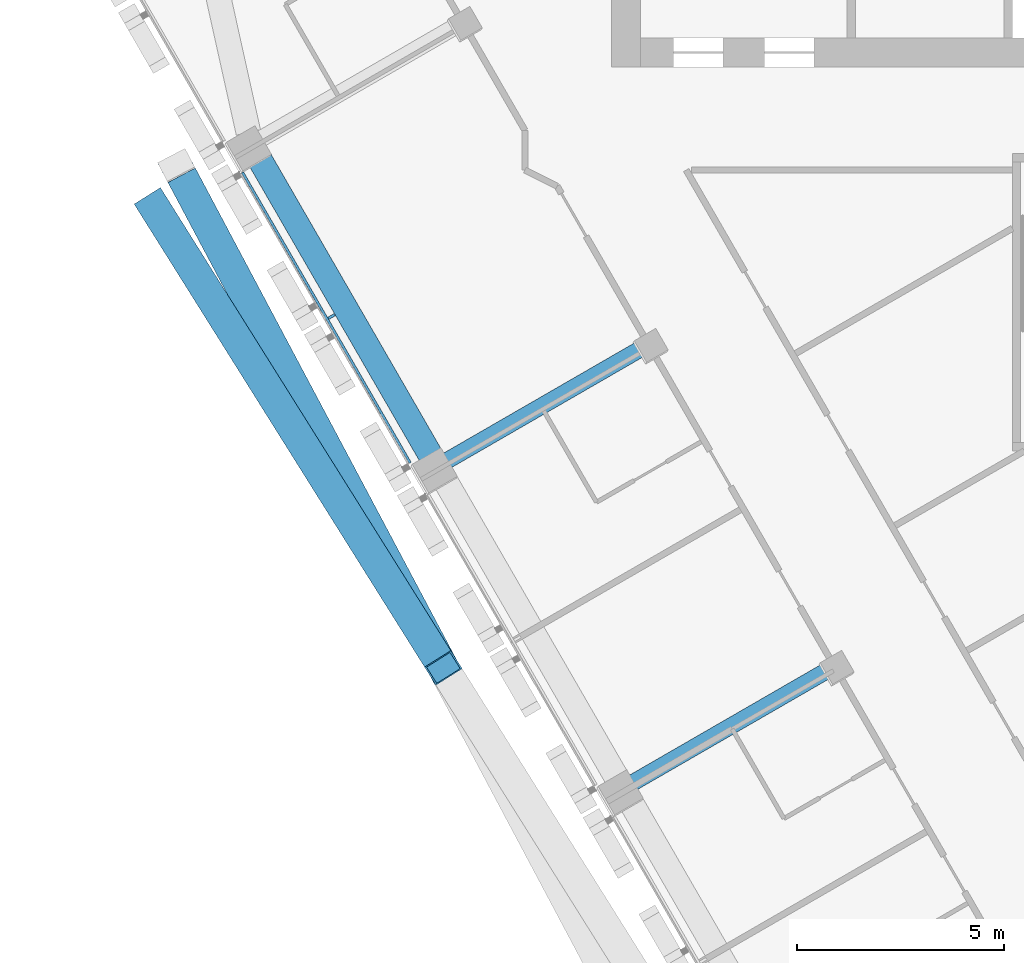
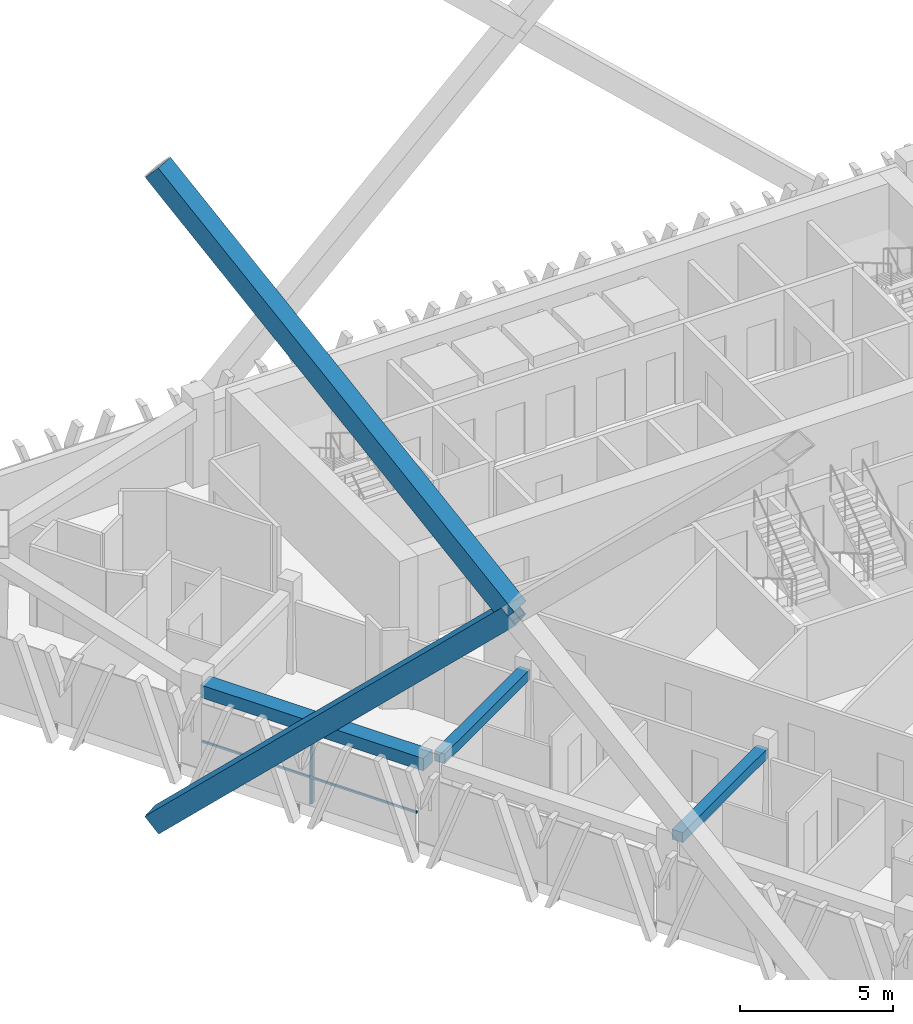
# One storey, part 4 of 18: 4 members, 3 beams, 1 element without a shape of its own.
"""IFC4 building model written with IfcOpenShell, lengths in metres."""

import ifcopenshell
import ifcopenshell.guid

model = None  # the IFC model being written
_history = None  # IfcOwnerHistory: only IFC2X3 demands one
_inside = {}  # id of a spatial element -> (the spatial element, [elements in it])
_under = {}  # id of a project, library or spatial element -> (it, [spatial elements below it])
_declared = {}  # id of a project -> (the project, [libraries it declares])
_typed = {}  # id of a type object -> (the type object, [elements of that type])
_made_of = {}  # id of a material, layer set ... -> (it, [elements and type objects made of it])


def new_model(schema):
    """Start an empty IFC model of exactly this schema.

    Asked for "IFC4X3", IfcOpenShell would pick the latest addendum, in which some entities
    have other attributes; the version numbers below select the first issue.
    IFC2X3 requires an IfcOwnerHistory on every rooted entity: one is made here for all.
    """
    global model, _history
    if schema == "IFC4X3":
        model = ifcopenshell.file(schema_version=(4, 3, 0, 0))
    else:
        model = ifcopenshell.file(schema=schema)
    _inside.clear()
    _under.clear()
    _declared.clear()
    _typed.clear()
    _made_of.clear()
    _history = None
    if model.schema == "IFC2X3":
        org = make("IfcOrganization", Name="unknown")
        user = make(
            "IfcPersonAndOrganization",
            ThePerson=make("IfcPerson", FamilyName="unknown"),
            TheOrganization=org,
        )
        app = make(
            "IfcApplication",
            ApplicationDeveloper=org,
            Version="unknown",
            ApplicationFullName="unknown",
            ApplicationIdentifier="unknown",
        )
        _history = make(
            "IfcOwnerHistory",
            OwningUser=user,
            OwningApplication=app,
            ChangeAction="ADDED",
            CreationDate=0,
        )
    return model


def make(cls, **values):
    """One entity of the class cls with the attributes given. An attribute that is None is left unset."""
    return model.create_entity(
        cls, **{name: value for name, value in values.items() if value is not None}
    )


def rooted(cls, **values):
    """An entity with a GlobalId (a new one), such as an element, a storey or a relation."""
    return make(cls, GlobalId=ifcopenshell.guid.new(), OwnerHistory=_history, **values)


def si_unit(unit_type, name, prefix=None):
    """IfcSIUnit, for example si_unit("LENGTHUNIT", "METRE", prefix="MILLI")."""
    return make("IfcSIUnit", UnitType=unit_type, Prefix=prefix, Name=name)


def assignment(units):
    """IfcUnitAssignment: the units of a project."""
    return None if units is None else make("IfcUnitAssignment", Units=units)


def point(xyz):
    """IfcCartesianPoint."""
    return None if xyz is None else make("IfcCartesianPoint", Coordinates=xyz)


def direction(xyz):
    """IfcDirection."""
    return None if xyz is None else make("IfcDirection", DirectionRatios=xyz)


def frame(location, z_axis=None, x_axis=None):
    """IfcAxis2Placement3D, a coordinate frame: its origin and axes. An axis left out is left unset."""
    return make(
        "IfcAxis2Placement3D",
        Location=point(location),
        Axis=direction(z_axis),
        RefDirection=direction(x_axis),
    )


def frame_2d(location, x_axis=None):
    """IfcAxis2Placement2D, a coordinate frame in the plane: its origin and x axis."""
    return make(
        "IfcAxis2Placement2D", Location=point(location), RefDirection=direction(x_axis)
    )


def origin():
    """The frame at (0, 0, 0) with its axes left unset."""
    return frame((0.0, 0.0, 0.0))


def origin_2d():
    """The frame at (0, 0) in the plane with its x axis left unset."""
    return frame_2d((0.0, 0.0))


def place(relative_to, where):
    """IfcLocalPlacement: puts the frame where relative to a parent placement (None: the world)."""
    return make(
        "IfcLocalPlacement", PlacementRelTo=relative_to, RelativePlacement=where
    )


def context(
    kind, dimensions, precision=None, world=None, true_north=None, identifier=None
):
    """IfcGeometricRepresentationContext, for example the 3D "Model" context."""
    return make(
        "IfcGeometricRepresentationContext",
        ContextIdentifier=identifier,
        ContextType=kind,
        CoordinateSpaceDimension=dimensions,
        Precision=precision,
        WorldCoordinateSystem=world,
        TrueNorth=true_north,
    )


def subcontext(parent, identifier, kind, view, scale=None):
    """IfcGeometricRepresentationSubContext, for example "Body" below "Model"."""
    return make(
        "IfcGeometricRepresentationSubContext",
        ContextIdentifier=identifier,
        ContextType=kind,
        ParentContext=parent,
        TargetScale=scale,
        TargetView=view,
    )


def project(units=None, contexts=None):
    """IfcProject with its units and contexts."""
    return rooted(
        "IfcProject",
        Name="project",
        RepresentationContexts=contexts,
        UnitsInContext=assignment(units),
    )


def spatial(cls, under=None, at=None, **own):
    """A site, building, storey or space (cls), placed at a placement, below another one or the project."""
    s = rooted(cls, ObjectPlacement=at, **own)
    if under is not None:
        _under.setdefault(under.id(), (under, []))[1].append(s)
    return s


def profile(cls, at=None, kind="AREA", **sizes):
    """A parametric profile (cls). Its sizes go by their IFC names, for example OverallWidth=200.0."""
    return make(cls, ProfileType=kind, Position=at, **sizes)


def rectangle(**sizes):
    """IfcRectangleProfileDef."""
    return profile("IfcRectangleProfileDef", **sizes)


def hollow_rectangle(**sizes):
    """IfcRectangleHollowProfileDef."""
    return profile("IfcRectangleHollowProfileDef", **sizes)


def extrude(swept, where, along, depth):
    """IfcExtrudedAreaSolid: the profile swept, set in the frame where, extruded along a direction by depth."""
    return make(
        "IfcExtrudedAreaSolid",
        SweptArea=swept,
        Position=where,
        ExtrudedDirection=direction(along),
        Depth=depth,
    )


def shape(context_of_items, identifier, shape_type, items):
    """IfcShapeRepresentation: the items that make up one representation, for example the "Body"."""
    return make(
        "IfcShapeRepresentation",
        ContextOfItems=context_of_items,
        RepresentationIdentifier=identifier,
        RepresentationType=shape_type,
        Items=items,
    )


def material(Name=None, Category=None):
    """IfcMaterial."""
    return make("IfcMaterial", Name=Name, Category=Category)


def layer(
    of_material, thickness, ventilated=None, Name=None, Category=None, Priority=None
):
    """IfcMaterialLayer: one layer of a wall or slab, of a material (None: an air gap)."""
    return make(
        "IfcMaterialLayer",
        Material=of_material,
        LayerThickness=thickness,
        IsVentilated=ventilated,
        Name=Name,
        Category=Category,
        Priority=Priority,
    )


def layer_set(layers, Name=None):
    """IfcMaterialLayerSet."""
    return make("IfcMaterialLayerSet", MaterialLayers=layers, LayerSetName=Name)


def material_profile(
    of_material, cross_section, Name=None, Category=None, Priority=None
):
    """IfcMaterialProfile: a cross section and its material."""
    return make(
        "IfcMaterialProfile",
        Name=Name,
        Material=of_material,
        Profile=cross_section,
        Priority=Priority,
        Category=Category,
    )


def profile_set(profiles, Name=None, composite=None):
    """IfcMaterialProfileSet."""
    return make(
        "IfcMaterialProfileSet",
        Name=Name,
        MaterialProfiles=profiles,
        CompositeProfile=composite,
    )


def made_of(thing, what):
    """Note that an element or type object is made of a material, layer set ...; save() writes the relation."""
    if what is not None:
        _made_of.setdefault(what.id(), (what, []))[1].append(thing)
    return thing


def type_object(cls, material=None, **own):
    """A type object (cls), such as IfcWallType, which elements share."""
    return made_of(rooted(cls, **own), material)


def element(
    cls,
    number,
    at=None,
    inside=None,
    cuts=None,
    type_object=None,
    material=None,
    context=None,
    identifier="Body",
    shape_type=None,
    held_by="IfcProductDefinitionShape",
    body=None,
    shapes=None,
    **own,
):
    """One element of the class cls, such as IfcWall. Its Tag is "e" and its number.

    at: its placement. inside: the storey or other place that contains it. cuts: it is an
    opening in that element (IfcRelVoidsElement). A single representation is given by context,
    identifier, shape_type and body (its items); several are given by shapes. held_by: the class
    of the entity that holds the representations. save() writes the other relations.
    """
    e = rooted(cls, Tag="e%d" % number, ObjectPlacement=at, **own)
    if body is not None:
        shapes = [shape(context, identifier, shape_type, body)]
    if shapes is not None:
        e.Representation = make(held_by, Representations=shapes)
    if inside is not None:
        _inside.setdefault(inside.id(), (inside, []))[1].append(e)
    if cuts is not None:
        rooted(
            "IfcRelVoidsElement", RelatingBuildingElement=cuts, RelatedOpeningElement=e
        )
    if type_object is not None:
        _typed.setdefault(type_object.id(), (type_object, []))[1].append(e)
    return made_of(e, material)


def aggregate(whole, parts):
    """IfcRelAggregates: a whole, such as a stair, and the parts it consists of."""
    return rooted("IfcRelAggregates", RelatingObject=whole, RelatedObjects=parts)


def save(model, path):
    """Write the relations noted so far, then the file.

    IfcRelAggregates (storeys below a building ...), IfcRelContainedInSpatialStructure (elements
    in a storey), IfcRelDefinesByType, IfcRelAssociatesMaterial and IfcRelDeclares: one each for
    every whole, place, type object, material and project.
    """
    for whole, parts in _under.values():
        aggregate(whole, parts)
    for where, things in _inside.values():
        rooted(
            "IfcRelContainedInSpatialStructure",
            RelatedElements=things,
            RelatingStructure=where,
        )
    for kind, things in _typed.values():
        rooted("IfcRelDefinesByType", RelatedObjects=things, RelatingType=kind)
    for what, things in _made_of.values():
        rooted("IfcRelAssociatesMaterial", RelatedObjects=things, RelatingMaterial=what)
    for by, libraries in _declared.values():
        rooted("IfcRelDeclares", RelatingContext=by, RelatedDefinitions=libraries)
    model.write(path)


model = new_model("IFC4")

# Units and contexts
model_context = context("Model", 3, precision=1e-05, world=origin(), true_north=direction((0.0, 1.0)))
body_context = subcontext(model_context, "Body", "Model", "MODEL_VIEW")
ifc_project = project(units=[si_unit("LENGTHUNIT", "METRE"), si_unit("AREAUNIT", "SQUARE_METRE"), si_unit("VOLUMEUNIT", "CUBIC_METRE"), si_unit("PLANEANGLEUNIT", "RADIAN"), si_unit("MASSUNIT", "GRAM", prefix="KILO")], contexts=[model_context])

# Site, building, storey
site_placement = place(None, origin())
site = spatial("IfcSite", under=ifc_project, at=site_placement, CompositionType="ELEMENT")
building_placement = place(site_placement, origin())
building = spatial("IfcBuilding", under=site, at=building_placement, Name="Altiplano Prism Tower", CompositionType="ELEMENT")
storey_placement = place(building_placement, frame((0.0, 0.0, 163.800048828125)))
storey = spatial("IfcBuildingStorey", under=building, at=storey_placement, Name="L42", CompositionType="ELEMENT", Elevation=163.800048828125)

# Curtain wall, members
ifc_material_1 = material(Name="Aluminium and glass", Category="aluminium")
ifc_layer = layer(ifc_material_1, 0.280029296875)
ifc_layer_set = layer_set([ifc_layer], Name="Aluminium and glass")
curtain_wall_type = type_object("IfcCurtainWallType", Name="CW1 typical co-living unitised curtain wall", PredefinedType="NOTDEFINED", material=ifc_layer_set)
curtain_wall_placement = place(storey_placement, origin())
curtain_wall = element("IfcCurtainWall", 1, at=curtain_wall_placement, inside=storey, type_object=curtain_wall_type, Name="CW1 curtain wall south-west face L42", PredefinedType="NOTDEFINED")
ifc_material_2 = material(Name="Aluminium", Category="aluminium")
ifc_material_profile_1 = material_profile(ifc_material_2, rectangle(XDim=0.179931640625, YDim=0.06494140625, at=origin_2d()), Name="CW1 mullion 65 x 180")
ifc_profile_set_1 = profile_set([ifc_material_profile_1], Name="Aluminium")
member_type_1 = type_object("IfcMemberType", Name="CW1 mullion 65 x 180", PredefinedType="MULLION", material=ifc_profile_set_1)
member_1_placement = place(storey_placement, frame((65.517578125, 86.654052734375, 0.0), z_axis=(0.0, 0.0, 1.0), x_axis=(0.866025400931, 0.500000004943, 0.0)))
member_1 = element("IfcMember", 2, at=member_1_placement, type_object=member_type_1, Name="CW1 mullion", PredefinedType="MULLION", context=body_context, shape_type="SweptSolid", body=[
    extrude(rectangle(XDim=0.179931640625, YDim=0.06494140625, at=origin_2d()), origin(), (0.0, 0.0, 1.0), 2.64990234375),
])
ifc_material_profile_2 = material_profile(ifc_material_2, rectangle(XDim=0.06005859375, YDim=0.080078125, at=origin_2d()), Name="CW1 transom 80 x 60")
ifc_profile_set_2 = profile_set([ifc_material_profile_2], Name="Aluminium")
member_type_2 = type_object("IfcMemberType", Name="CW1 transom 80 x 60", PredefinedType="USERDEFINED", material=ifc_profile_set_2)
member_2_placement = place(storey_placement, frame((63.364013671875, 90.14404296875, 1.099853515625), z_axis=(0.499990533176, -0.866030869389, 0.0), x_axis=(0.866030869389, 0.499990533176, 0.0)))
member_2 = element("IfcMember", 3, at=member_2_placement, type_object=member_type_2, Name="CW1 transom", ObjectType="TRANSOM", PredefinedType="USERDEFINED", context=body_context, shape_type="SweptSolid", body=[
    extrude(rectangle(XDim=0.06005859375, YDim=0.080078125, at=origin_2d()), origin(), (0.0, 0.0, 1.0), 8.119873046875),
])
aggregate(curtain_wall, [member_1, member_2])

# Beam
ifc_material_3 = material(Name="Concrete C60/75", Category="concrete")
ifc_material_profile_3 = material_profile(ifc_material_3, rectangle(XDim=0.60009765625, YDim=0.5, at=origin_2d()), Name="Edge beam 600x500")
ifc_profile_set_3 = profile_set([ifc_material_profile_3], Name="Concrete C60/75")
beam_type_1 = type_object("IfcBeamType", Name="Edge beam 600x500", PredefinedType="SPANDREL", material=ifc_profile_set_3)
beam_1_placement = place(storey_placement, frame((63.712890625, 90.5771484375, 2.89990234375), z_axis=(0.499993714791, -0.866029032521, 0.0), x_axis=(0.866029032521, 0.499993714791, 0.0)))
element("IfcBeam", 4, at=beam_1_placement, inside=storey, type_object=beam_type_1, Name="Edge beam P11-P12 L43", PredefinedType="SPANDREL", context=body_context, shape_type="SweptSolid", body=[
    extrude(rectangle(XDim=0.60009765625, YDim=0.5, at=origin_2d()), origin(), (0.0, 0.0, 1.0), 8.43994140625),
])

# Members
ifc_material_4 = material(Name="Steel S355", Category="steel")
ifc_material_profile_4 = material_profile(ifc_material_4, hollow_rectangle(XDim=0.75, YDim=0.75, WallThickness=0.0400390625, at=origin_2d()), Name="Mega brace Box 750x750x40")
ifc_profile_set_4 = profile_set([ifc_material_profile_4], Name="Steel S355")
member_type_3 = type_object("IfcMemberType", Name="Mega brace Box 750x750x40", PredefinedType="BRACE", material=ifc_profile_set_4)
member_3_placement = place(storey_placement, frame((61.19775390625, 89.356201171875, -0.800048828125), z_axis=(0.383710998239, -0.611672243138, 0.691825799464), x_axis=(0.847115859398, 0.531408243026, 0.0)))
element("IfcMember", 5, at=member_3_placement, inside=storey, type_object=member_type_3, Name="Mega brace 4.1.1", PredefinedType="BRACE", context=body_context, shape_type="SweptSolid", body=[
    extrude(hollow_rectangle(XDim=0.75, YDim=0.75, WallThickness=0.0400390625, at=origin_2d()), origin(), (0.0, 0.0, 1.0), 18.321044921875),
])
member_4_placement = place(storey_placement, frame((68.227783203125, 78.149658203125, 11.875), z_axis=(-0.345458966781, 0.650121247865, 0.676757316433), x_axis=(-0.883069537331, -0.469242146698, 0.0)))
element("IfcMember", 6, at=member_4_placement, inside=storey, type_object=member_type_3, Name="Mega brace 4.1.4", PredefinedType="BRACE", context=body_context, shape_type="SweptSolid", body=[
    extrude(hollow_rectangle(XDim=0.75, YDim=0.75, WallThickness=0.0400390625, at=origin_2d()), origin(), (0.0, 0.0, 1.0), 18.68896484375),
])

# Beams
ifc_material_profile_5 = material_profile(ifc_material_3, rectangle(XDim=0.39990234375, YDim=0.39990234375, at=origin_2d()), Name="Tie beam 400x400")
ifc_profile_set_5 = profile_set([ifc_material_profile_5], Name="Concrete C60/75")
beam_type_2 = type_object("IfcBeamType", Name="Tie beam 400x400", PredefinedType="BEAM", material=ifc_profile_set_5)
beam_2_placement = place(storey_placement, frame((73.15625, 85.96044921875, 2.949951171875), z_axis=(-0.866030670444, -0.499990877767, 0.0), x_axis=(0.499990877767, -0.866030670444, 0.0)))
element("IfcBeam", 7, at=beam_2_placement, inside=storey, type_object=beam_type_2, Name="Tie beam I12 L43", PredefinedType="BEAM", context=body_context, shape_type="SweptSolid", body=[
    extrude(rectangle(XDim=0.39990234375, YDim=0.39990234375, at=origin_2d()), origin(), (0.0, 0.0, 1.0), 5.58984375),
])
beam_3_placement = place(storey_placement, frame((77.65625, 78.166259765625, 2.949951171875), z_axis=(-0.866011758658, -0.500023633308, 0.0), x_axis=(0.500023633308, -0.866011758658, 0.0)))
element("IfcBeam", 8, at=beam_3_placement, inside=storey, type_object=beam_type_2, Name="Tie beam I13 L43", PredefinedType="BEAM", context=body_context, shape_type="SweptSolid", body=[
    extrude(rectangle(XDim=0.39990234375, YDim=0.39990234375, at=origin_2d()), origin(), (0.0, 0.0, 1.0), 5.590087890625),
])

save(model, "model.ifc")
